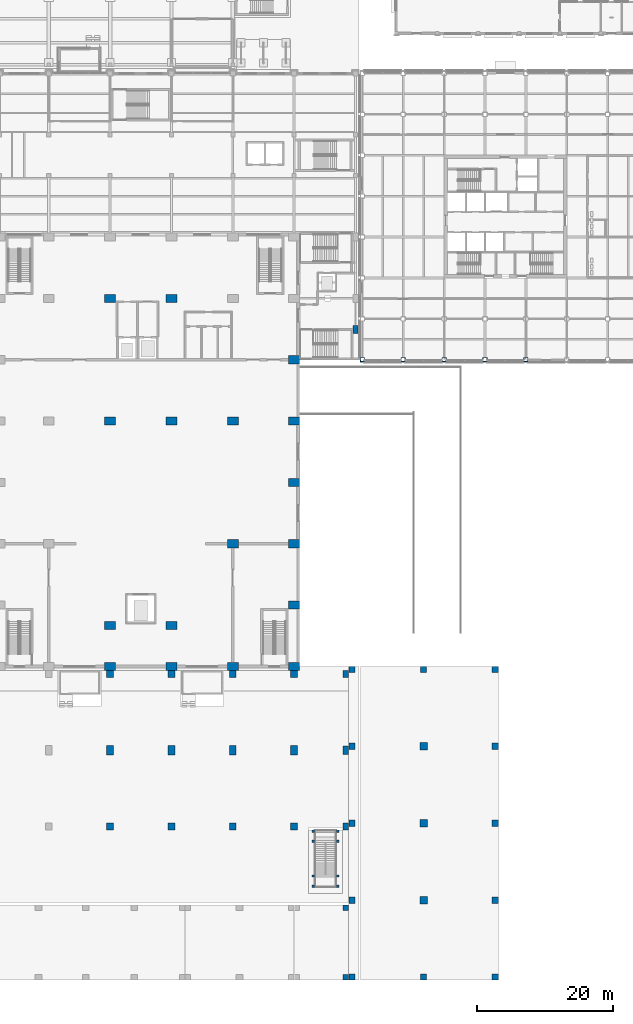
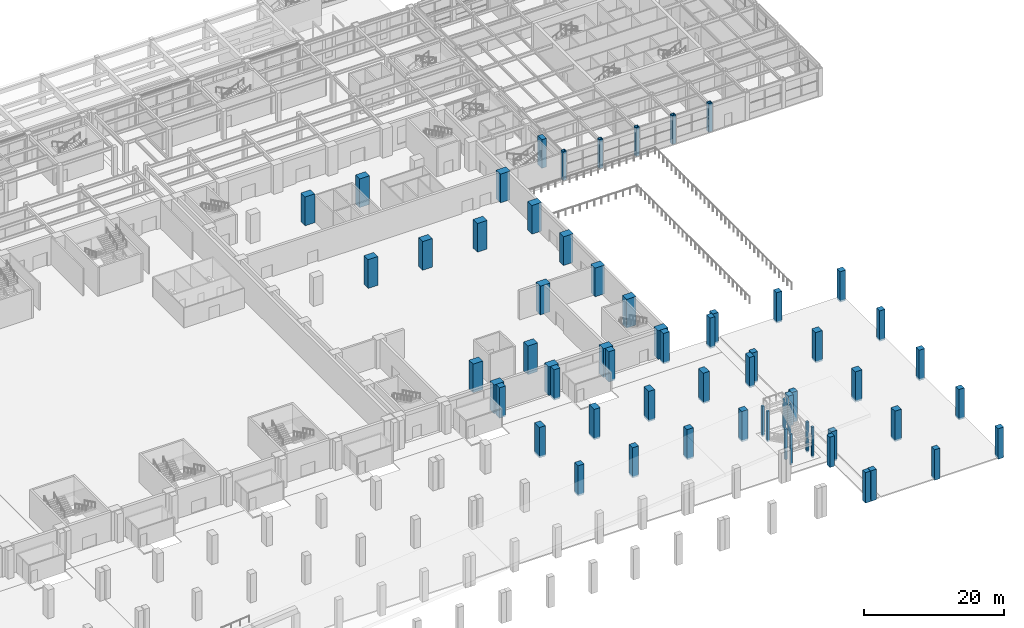
# One storey, part 5 of 77: 63 columns.
"""IFC4 building model written with IfcOpenShell, lengths in metres."""

from ifc_helpers import new_model, si_unit, direction, frame, origin, origin_2d, place, context, subcontext, project, spatial, rectangle, hollow_rectangle, extrude, material, material_profile, profile_set, type_object, element, save


model = new_model("IFC4")

# Units and contexts
model_context = context("Model", 3, precision=1e-05, world=origin(), true_north=direction((0.0, 1.0)))
body_context = subcontext(model_context, "Body", "Model", "MODEL_VIEW")
ifc_project = project(units=[si_unit("LENGTHUNIT", "METRE"), si_unit("AREAUNIT", "SQUARE_METRE"), si_unit("VOLUMEUNIT", "CUBIC_METRE"), si_unit("PLANEANGLEUNIT", "RADIAN"), si_unit("MASSUNIT", "GRAM", prefix="KILO")], contexts=[model_context])

# Site, building, storey
site_placement = place(None, origin())
site = spatial("IfcSite", under=ifc_project, at=site_placement, CompositionType="ELEMENT")
building_placement = place(site_placement, origin())
building = spatial("IfcBuilding", under=site, at=building_placement, Name="Aravalli Gate Trade Fair Centre", CompositionType="ELEMENT")
storey_placement = place(building_placement, origin())
storey = spatial("IfcBuildingStorey", under=building, at=storey_placement, Name="L00", CompositionType="ELEMENT", Elevation=0.0)

# Columns
ifc_material_1 = material(Name="Concrete M45", Category="concrete")
ifc_material_profile_1 = material_profile(ifc_material_1, rectangle(XDim=1.60009765625, YDim=1.199951171875, at=origin_2d()), Name="RC 1600x1200")
ifc_profile_set_1 = profile_set([ifc_material_profile_1], Name="Concrete M45")
column_type_1 = type_object("IfcColumnType", Name="Congress RC column 1600 x 1200", PredefinedType="COLUMN", material=ifc_profile_set_1)
for number, where, z_axis, x_axis, name in (
    (1, (123.0, 46.0, 0.0), (0.0, 0.0, 1.0), (1.0, 0.0, 0.0), "Congress column 123.0/46 L00"),
    (2, (132.0, 46.0, 0.0), (0.0, 0.0, 1.0), (1.0, 0.0, 0.0), "Congress column 132.0/46 L00"),
    (3, (141.0, 46.0, 0.0), (0.0, 0.0, 1.0), (1.0, 0.0, 0.0), "Congress column 141.0/46 L00"),
    (4, (150.0, 46.0, 0.0), (0.0, 0.0, 1.0), (1.0, 0.0, 0.0), "Congress column 150.0/46 L00"),
    (5, (150.0, 55.0, 0.0), (0.0, 0.0, 1.0), (1.0, 0.0, 0.0), "Congress column 150.0/55 L00"),
    (6, (150.0, 64.0, 0.0), (0.0, 0.0, 1.0), (1.0, 0.0, 0.0), "Congress column 150.0/64 L00"),
    (7, (150.0, 73.0, 0.0), (0.0, 0.0, 1.0), (1.0, 0.0, 0.0), "Congress column 150.0/73 L00"),
    (8, (150.0, 82.0, 0.0), (0.0, 0.0, 1.0), (1.0, 0.0, 0.0), "Congress column 150.0/82 L00"),
    (9, (150.0, 91.0, 0.0), (0.0, 0.0, 1.0), (1.0, 0.0, 0.0), "Congress column 150.0/91 L00"),
):
    element("IfcColumn", number, at=place(storey_placement, frame(where, z_axis=z_axis, x_axis=x_axis)), inside=storey, type_object=column_type_1, Name=name, PredefinedType="COLUMN", context=body_context, shape_type="SweptSolid", body=[
        extrude(rectangle(XDim=1.60009765625, YDim=1.199951171875, at=origin_2d()), origin(), (0.0, 0.0, 1.0), 5.0),
    ])
ifc_material_profile_2 = material_profile(ifc_material_1, rectangle(XDim=1.60009765625, YDim=1.199951171875, at=origin_2d()), Name="RC 1600x1200")
ifc_profile_set_2 = profile_set([ifc_material_profile_2], Name="Concrete M45")
column_type_2 = type_object("IfcColumnType", Name="Congress RC column 1600 x 1200, heavy stack", PredefinedType="COLUMN", material=ifc_profile_set_2)
for number, where, z_axis, x_axis, name in (
    (10, (123.0, 52.0, 0.0), (0.0, 0.0, 1.0), (1.0, 0.0, 0.0), "Congress column 123.0/52 L00"),
    (11, (132.0, 52.0, 0.0), (0.0, 0.0, 1.0), (1.0, 0.0, 0.0), "Congress column 132.0/52 L00"),
    (12, (141.0, 64.0, 0.0), (0.0, 0.0, 1.0), (1.0, 0.0, 0.0), "Congress column 141.0/64 L00"),
    (13, (123.0, 82.0, 0.0), (0.0, 0.0, 1.0), (1.0, 0.0, 0.0), "Congress column 123.0/82 L00"),
    (14, (132.0, 82.0, 0.0), (0.0, 0.0, 1.0), (1.0, 0.0, 0.0), "Congress column 132.0/82 L00"),
    (15, (141.0, 82.0, 0.0), (0.0, 0.0, 1.0), (1.0, 0.0, 0.0), "Congress column 141.0/82 L00"),
    (16, (123.0, 100.0, 0.0), (0.0, 0.0, 1.0), (1.0, 0.0, 0.0), "Congress column 123.0/100 L00"),
    (17, (132.0, 100.0, 0.0), (0.0, 0.0, 1.0), (1.0, 0.0, 0.0), "Congress column 132.0/100 L00"),
):
    element("IfcColumn", number, at=place(storey_placement, frame(where, z_axis=z_axis, x_axis=x_axis)), inside=storey, type_object=column_type_2, Name=name, PredefinedType="COLUMN", context=body_context, shape_type="SweptSolid", body=[
        extrude(rectangle(XDim=1.60009765625, YDim=1.199951171875, at=origin_2d()), origin(), (0.0, 0.0, 1.0), 5.0),
    ])
ifc_material_profile_3 = material_profile(ifc_material_1, rectangle(XDim=1.0, YDim=1.0, at=origin_2d()), Name="Deck column RC 1000 x 1000")
ifc_profile_set_3 = profile_set([ifc_material_profile_3], Name="Concrete M45")
column_type_3 = type_object("IfcColumnType", Name="Deck column RC 1000 x 1000", PredefinedType="COLUMN", material=ifc_profile_set_3)
for number, where, z_axis, x_axis, name in (
    (18, (123.0, 22.5, -0.300048828125), (0.0, 0.0, 1.0), (1.0, 0.0, 0.0), "Deck column col.deck.3.3.S L00"),
    (19, (123.0, 44.89990234375, -0.300048828125), (0.0, 0.0, 1.0), (1.0, 0.0, 0.0), "Deck column col.deck.3.3.N L00"),
    (20, (132.0, 22.5, -0.300048828125), (0.0, 0.0, 1.0), (1.0, 0.0, 0.0), "Deck column col.deck.3.4.S L00"),
    (21, (132.0, 44.89990234375, -0.300048828125), (0.0, 0.0, 1.0), (1.0, 0.0, 0.0), "Deck column col.deck.3.4.N L00"),
    (22, (141.0, 22.5, -0.300048828125), (0.0, 0.0, 1.0), (1.0, 0.0, 0.0), "Deck column col.deck.3.5.S L00"),
    (23, (141.0, 44.89990234375, -0.300048828125), (0.0, 0.0, 1.0), (1.0, 0.0, 0.0), "Deck column col.deck.3.5.N L00"),
    (24, (150.0, 22.5, -0.300048828125), (0.0, 0.0, 1.0), (1.0, 0.0, 0.0), "Deck column col.deck.3.6.S L00"),
    (25, (150.0, 44.89990234375, -0.300048828125), (0.0, 0.0, 1.0), (1.0, 0.0, 0.0), "Deck column col.deck.3.6.N L00"),
):
    element("IfcColumn", number, at=place(storey_placement, frame(where, z_axis=z_axis, x_axis=x_axis)), inside=storey, type_object=column_type_3, Name=name, PredefinedType="COLUMN", context=body_context, shape_type="SweptSolid", body=[
        extrude(rectangle(XDim=1.0, YDim=1.0, at=origin_2d()), origin(), (0.0, 0.0, 1.0), 5.300048828125),
    ])
ifc_material_profile_4 = material_profile(ifc_material_1, rectangle(XDim=1.0, YDim=1.39990234375, at=origin_2d()), Name="Deck column RC 1000 x 1400")
ifc_profile_set_4 = profile_set([ifc_material_profile_4], Name="Concrete M45")
column_type_4 = type_object("IfcColumnType", Name="Deck column RC 1000 x 1400", PredefinedType="COLUMN", material=ifc_profile_set_4)
for number, where, z_axis, x_axis, name in (
    (26, (123.0, 33.699951171875, -0.300048828125), (0.0, 0.0, 1.0), (1.0, 0.0, 0.0), "Deck column col.deck.3.3.M L00"),
    (27, (132.0, 33.699951171875, -0.300048828125), (0.0, 0.0, 1.0), (1.0, 0.0, 0.0), "Deck column col.deck.3.4.M L00"),
    (28, (141.0, 33.699951171875, -0.300048828125), (0.0, 0.0, 1.0), (1.0, 0.0, 0.0), "Deck column col.deck.3.5.M L00"),
    (29, (150.0, 33.699951171875, -0.300048828125), (0.0, 0.0, 1.0), (1.0, 0.0, 0.0), "Deck column col.deck.3.6.M L00"),
):
    element("IfcColumn", number, at=place(storey_placement, frame(where, z_axis=z_axis, x_axis=x_axis)), inside=storey, type_object=column_type_4, Name=name, PredefinedType="COLUMN", context=body_context, shape_type="SweptSolid", body=[
        extrude(rectangle(XDim=1.0, YDim=1.39990234375, at=origin_2d()), origin(), (0.0, 0.0, 1.0), 5.300048828125),
    ])
ifc_material_profile_5 = material_profile(ifc_material_1, rectangle(XDim=0.800048828125, YDim=1.0, at=origin_2d()), Name="Deck column RC 800 x 1000")
ifc_profile_set_5 = profile_set([ifc_material_profile_5], Name="Concrete M45")
column_type_5 = type_object("IfcColumnType", Name="Deck column RC 800 x 1000", PredefinedType="COLUMN", material=ifc_profile_set_5)
for number, where, z_axis, x_axis, name in (
    (30, (157.580078125, 22.5, -0.300048828125), (0.0, 0.0, 1.0), (1.0, 0.0, 0.0), "Deck column col.deck.3.7.S L00"),
    (31, (157.580078125, 44.89990234375, -0.300048828125), (0.0, 0.0, 1.0), (1.0, 0.0, 0.0), "Deck column col.deck.3.7.N L00"),
):
    element("IfcColumn", number, at=place(storey_placement, frame(where, z_axis=z_axis, x_axis=x_axis)), inside=storey, type_object=column_type_5, Name=name, PredefinedType="COLUMN", context=body_context, shape_type="SweptSolid", body=[
        extrude(rectangle(XDim=0.800048828125, YDim=1.0, at=origin_2d()), origin(), (0.0, 0.0, 1.0), 5.300048828125),
    ])
ifc_material_profile_6 = material_profile(ifc_material_1, rectangle(XDim=0.800048828125, YDim=1.199951171875, at=origin_2d()), Name="Deck column RC 800 x 1200")
ifc_profile_set_6 = profile_set([ifc_material_profile_6], Name="Concrete M45")
column_type_6 = type_object("IfcColumnType", Name="Deck column RC 800 x 1200", PredefinedType="COLUMN", material=ifc_profile_set_6)
column_1_placement = place(storey_placement, frame((157.580078125, 33.699951171875, -0.300048828125), z_axis=(0.0, 0.0, 1.0), x_axis=(1.0, 0.0, 0.0)))
element("IfcColumn", 32, at=column_1_placement, inside=storey, type_object=column_type_6, Name="Deck column col.deck.3.7.M L00", PredefinedType="COLUMN", context=body_context, shape_type="SweptSolid", body=[
    extrude(rectangle(XDim=0.800048828125, YDim=1.199951171875, at=origin_2d()), origin(), (0.0, 0.0, 1.0), 5.300048828125),
])
ifc_material_profile_7 = material_profile(ifc_material_1, rectangle(XDim=1.10009765625, YDim=1.10009765625, at=origin_2d()), Name="Landing column RC 1100 x 1100")
ifc_profile_set_7 = profile_set([ifc_material_profile_7], Name="Concrete M45")
column_type_7 = type_object("IfcColumnType", Name="Landing column RC 1100 x 1100", PredefinedType="COLUMN", material=ifc_profile_set_7)
for number, where, z_axis, x_axis, name in (
    (33, (169.0, 11.699951171875, -0.300048828125), (0.0, 0.0, 1.0), (1.0, 0.0, 0.0), "Landing column col.landing.2.2 L00"),
    (34, (169.0, 23.0, -0.300048828125), (0.0, 0.0, 1.0), (1.0, 0.0, 0.0), "Landing column col.landing.2.3 L00"),
    (35, (169.0, 34.300048828125, -0.300048828125), (0.0, 0.0, 1.0), (1.0, 0.0, 0.0), "Landing column col.landing.2.4 L00"),
):
    element("IfcColumn", number, at=place(storey_placement, frame(where, z_axis=z_axis, x_axis=x_axis)), inside=storey, type_object=column_type_7, Name=name, PredefinedType="COLUMN", context=body_context, shape_type="SweptSolid", body=[
        extrude(rectangle(XDim=1.10009765625, YDim=1.10009765625, at=origin_2d()), origin(), (0.0, 0.0, 1.0), 5.300048828125),
    ])
ifc_material_profile_8 = material_profile(ifc_material_1, rectangle(XDim=0.89990234375, YDim=0.89990234375, at=origin_2d()), Name="Landing column RC 900 x 900")
ifc_profile_set_8 = profile_set([ifc_material_profile_8], Name="Concrete M45")
column_type_8 = type_object("IfcColumnType", Name="Landing column RC 900 x 900", PredefinedType="COLUMN", material=ifc_profile_set_8)
for number, where, z_axis, x_axis, name in (
    (36, (158.5, 0.449951171875, -0.300048828125), (0.0, 0.0, 1.0), (1.0, 0.0, 0.0), "Landing column col.landing.1.1 L00"),
    (37, (158.5, 11.699951171875, -0.300048828125), (0.0, 0.0, 1.0), (1.0, 0.0, 0.0), "Landing column col.landing.1.2 L00"),
    (38, (158.5, 23.0, -0.300048828125), (0.0, 0.0, 1.0), (1.0, 0.0, 0.0), "Landing column col.landing.1.3 L00"),
    (39, (158.5, 34.300048828125, -0.300048828125), (0.0, 0.0, 1.0), (1.0, 0.0, 0.0), "Landing column col.landing.1.4 L00"),
    (40, (158.5, 45.550048828125, -0.300048828125), (0.0, 0.0, 1.0), (1.0, 0.0, 0.0), "Landing column col.landing.1.5 L00"),
    (41, (169.0, 0.449951171875, -0.300048828125), (0.0, 0.0, 1.0), (1.0, 0.0, 0.0), "Landing column col.landing.2.1 L00"),
    (42, (169.0, 45.550048828125, -0.300048828125), (0.0, 0.0, 1.0), (1.0, 0.0, 0.0), "Landing column col.landing.2.5 L00"),
    (43, (179.5, 0.449951171875, -0.300048828125), (0.0, 0.0, 1.0), (1.0, 0.0, 0.0), "Landing column col.landing.3.1 L00"),
    (44, (179.5, 11.699951171875, -0.300048828125), (0.0, 0.0, 1.0), (1.0, 0.0, 0.0), "Landing column col.landing.3.2 L00"),
    (45, (179.5, 23.0, -0.300048828125), (0.0, 0.0, 1.0), (1.0, 0.0, 0.0), "Landing column col.landing.3.3 L00"),
    (46, (179.5, 34.300048828125, -0.300048828125), (0.0, 0.0, 1.0), (1.0, 0.0, 0.0), "Landing column col.landing.3.4 L00"),
    (47, (179.5, 45.550048828125, -0.300048828125), (0.0, 0.0, 1.0), (1.0, 0.0, 0.0), "Landing column col.landing.3.5 L00"),
):
    element("IfcColumn", number, at=place(storey_placement, frame(where, z_axis=z_axis, x_axis=x_axis)), inside=storey, type_object=column_type_8, Name=name, PredefinedType="COLUMN", context=body_context, shape_type="SweptSolid", body=[
        extrude(rectangle(XDim=0.89990234375, YDim=0.89990234375, at=origin_2d()), origin(), (0.0, 0.0, 1.0), 5.300048828125),
    ])
ifc_material_2 = material(Name="Concrete M50", Category="concrete")
ifc_material_profile_9 = material_profile(ifc_material_2, rectangle(XDim=0.800048828125, YDim=1.199951171875, at=origin_2d()), Name="Link column 800 x 1200")
ifc_profile_set_9 = profile_set([ifc_material_profile_9], Name="Concrete M50")
column_type_9 = type_object("IfcColumnType", Name="Link column 800 x 1200", PredefinedType="COLUMN", material=ifc_profile_set_9)
column_2_placement = place(storey_placement, frame((159.0, 95.449951171875, 0.0), z_axis=(0.0, 0.0, 1.0), x_axis=(1.0, 0.0, 0.0)))
element("IfcColumn", 48, at=column_2_placement, inside=storey, type_object=column_type_9, Name="Link column EF L00", PredefinedType="COLUMN", context=body_context, shape_type="SweptSolid", body=[
    extrude(rectangle(XDim=0.800048828125, YDim=1.199951171875, at=origin_2d()), origin(), (0.0, 0.0, 1.0), 5.0),
])
ifc_material_profile_10 = material_profile(ifc_material_1, rectangle(XDim=0.800048828125, YDim=0.800048828125, at=origin_2d()), Name="Ramp column RC 800 x 800")
ifc_profile_set_10 = profile_set([ifc_material_profile_10], Name="Concrete M45")
column_type_10 = type_object("IfcColumnType", Name="Ramp column RC 800 x 800", PredefinedType="COLUMN", material=ifc_profile_set_10)
for number, where, z_axis, x_axis, name in (
    (49, (157.580078125, 0.39990234375, -0.300048828125), (0.0, 0.0, 1.0), (1.0, 0.0, 0.0), "Ramp column col.ramp.RA1-F3.2S L00"),
    (50, (157.580078125, 10.60009765625, -0.300048828125), (0.0, 0.0, 1.0), (1.0, 0.0, 0.0), "Ramp column col.ramp.RA1-F3.2N L00"),
):
    element("IfcColumn", number, at=place(storey_placement, frame(where, z_axis=z_axis, x_axis=x_axis)), inside=storey, type_object=column_type_10, Name=name, PredefinedType="COLUMN", context=body_context, shape_type="SweptSolid", body=[
        extrude(rectangle(XDim=0.800048828125, YDim=0.800048828125, at=origin_2d()), origin(), (0.0, 0.0, 1.0), 5.300048828125),
    ])
ifc_material_profile_11 = material_profile(ifc_material_1, rectangle(XDim=0.35009765625, YDim=0.35009765625, at=origin_2d()), Name="Stair column RC 350 x 350")
ifc_profile_set_11 = profile_set([ifc_material_profile_11], Name="Concrete M45")
column_type_11 = type_object("IfcColumnType", Name="Stair column RC 350 x 350", PredefinedType="COLUMN", material=ifc_profile_set_11)
for number, where, z_axis, x_axis, name in (
    (51, (152.824951171875, 21.800048828125, -0.300048828125), (0.0, 0.0, 1.0), (1.0, 0.0, 0.0), "Stair column col.stair.2.1.1 L00"),
    (52, (152.824951171875, 20.35009765625, -0.300048828125), (0.0, 0.0, 1.0), (1.0, 0.0, 0.0), "Stair column col.stair.2.1.2 L00"),
    (53, (152.824951171875, 15.25, -0.300048828125), (0.0, 0.0, 1.0), (1.0, 0.0, 0.0), "Stair column col.stair.2.1.3 L00"),
    (54, (152.824951171875, 13.75, -0.300048828125), (0.0, 0.0, 1.0), (1.0, 0.0, 0.0), "Stair column col.stair.2.1.4 L00"),
    (55, (156.375, 21.800048828125, -0.300048828125), (0.0, 0.0, 1.0), (1.0, 0.0, 0.0), "Stair column col.stair.2.2.1 L00"),
    (56, (156.375, 20.35009765625, -0.300048828125), (0.0, 0.0, 1.0), (1.0, 0.0, 0.0), "Stair column col.stair.2.2.2 L00"),
    (57, (156.375, 15.25, -0.300048828125), (0.0, 0.0, 1.0), (1.0, 0.0, 0.0), "Stair column col.stair.2.2.3 L00"),
    (58, (156.375, 13.75, -0.300048828125), (0.0, 0.0, 1.0), (1.0, 0.0, 0.0), "Stair column col.stair.2.2.4 L00"),
):
    element("IfcColumn", number, at=place(storey_placement, frame(where, z_axis=z_axis, x_axis=x_axis)), inside=storey, type_object=column_type_11, Name=name, PredefinedType="COLUMN", context=body_context, shape_type="SweptSolid", body=[
        extrude(rectangle(XDim=0.35009765625, YDim=0.35009765625, at=origin_2d()), origin(), (0.0, 0.0, 1.0), 5.300048828125),
    ])
ifc_material_3 = material(Name="Steel E350", Category="steel")
ifc_material_profile_12 = material_profile(ifc_material_3, hollow_rectangle(XDim=0.60009765625, YDim=0.60009765625, WallThickness=0.0400390625, at=origin_2d()), Name="BOX 600x600x40")
ifc_profile_set_12 = profile_set([ifc_material_profile_12], Name="Steel E350")
column_type_12 = type_object("IfcColumnType", Name="Wing box column 600 x 600 x 40", PredefinedType="COLUMN", material=ifc_profile_set_12)
for number, where, z_axis, x_axis, name in (
    (59, (160.0, 91.0, 0.0), (0.0, 0.0, 1.0), (1.0, 0.0, 0.0), "Wing column 18/F L00"),
    (60, (166.0, 91.0, 0.0), (0.0, 0.0, 1.0), (1.0, 0.0, 0.0), "Wing column 19/F L00"),
    (61, (172.0, 91.0, 0.0), (0.0, 0.0, 1.0), (1.0, 0.0, 0.0), "Wing column 20/F L00"),
    (62, (178.0, 91.0, 0.0), (0.0, 0.0, 1.0), (1.0, 0.0, 0.0), "Wing column 21/F L00"),
    (63, (184.0, 91.0, 0.0), (0.0, 0.0, 1.0), (1.0, 0.0, 0.0), "Wing column 22/F L00"),
):
    element("IfcColumn", number, at=place(storey_placement, frame(where, z_axis=z_axis, x_axis=x_axis)), inside=storey, type_object=column_type_12, Name=name, PredefinedType="COLUMN", context=body_context, shape_type="SweptSolid", body=[
        extrude(hollow_rectangle(XDim=0.60009765625, YDim=0.60009765625, WallThickness=0.0400390625, at=origin_2d()), origin(), (0.0, 0.0, 1.0), 5.0),
    ])

save(model, "model.ifc")
